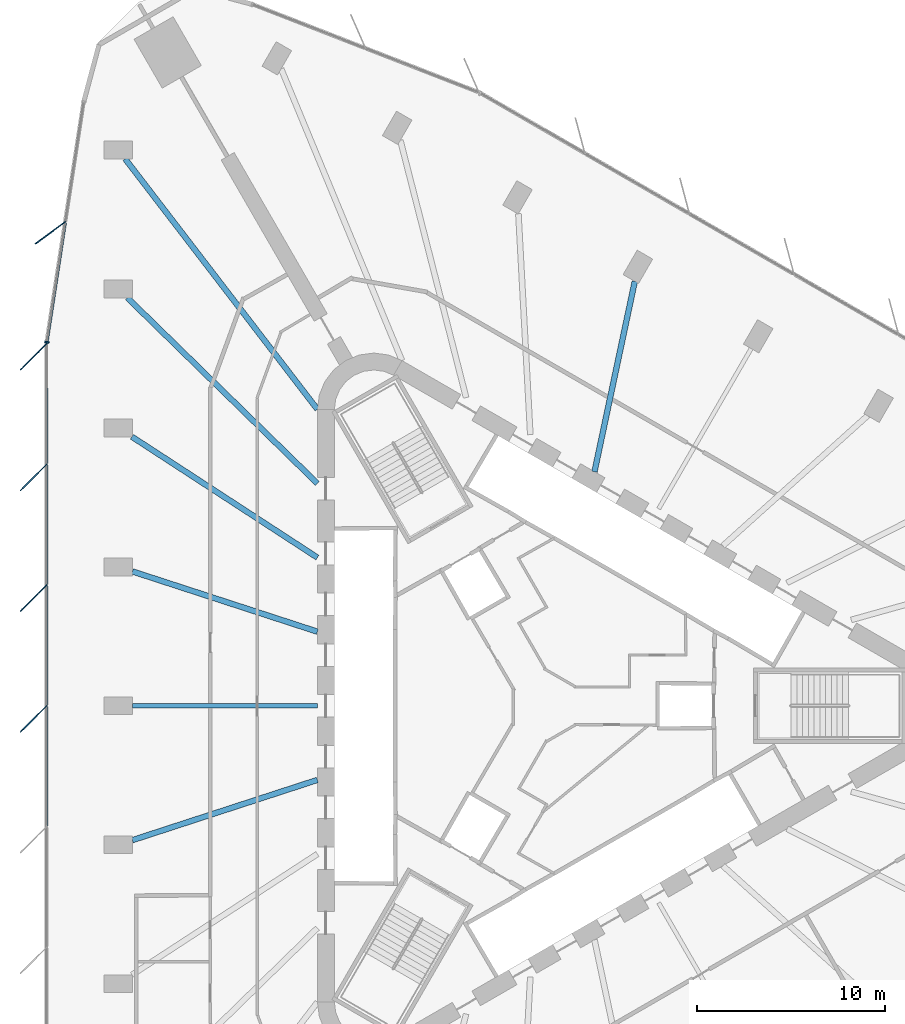
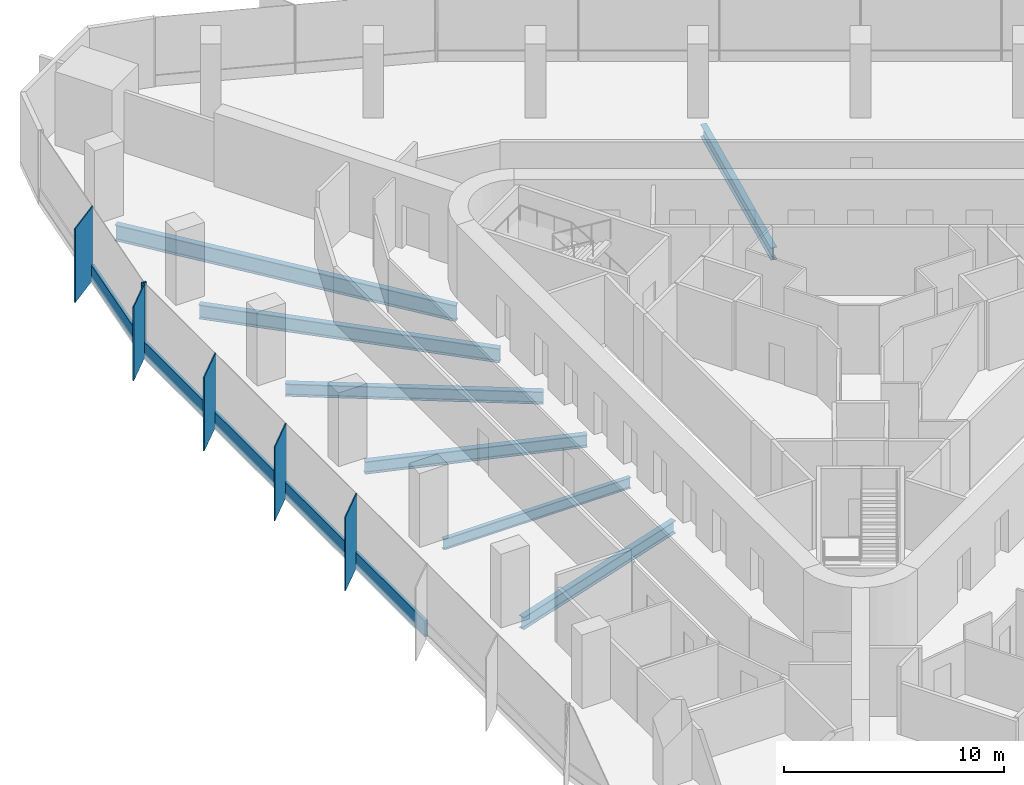
# One storey, part 4 of 15: 11 members, 7 beams, 2 elements without a shape of their own.
"""IFC4 building model written with IfcOpenShell, lengths in metres."""

from ifc_helpers import new_model, si_unit, direction, frame, origin, origin_2d, place, context, subcontext, project, spatial, rectangle, i_section, extrude, material, material_profile, profile_set, type_object, element, aggregate, save


model = new_model("IFC4")

# Units and contexts
model_context = context("Model", 3, precision=1e-05, world=origin(), true_north=direction((0.0, 1.0)))
body_context = subcontext(model_context, "Body", "Model", "MODEL_VIEW")
ifc_project = project(units=[si_unit("LENGTHUNIT", "METRE"), si_unit("AREAUNIT", "SQUARE_METRE"), si_unit("VOLUMEUNIT", "CUBIC_METRE"), si_unit("PLANEANGLEUNIT", "RADIAN"), si_unit("MASSUNIT", "GRAM", prefix="KILO")], contexts=[model_context])

# Site, building, storey
site_placement = place(None, origin())
site = spatial("IfcSite", under=ifc_project, at=site_placement, CompositionType="ELEMENT")
building_placement = place(site_placement, origin())
building = spatial("IfcBuilding", under=site, at=building_placement, Name="Tanit Gate Tower", CompositionType="ELEMENT")
storey_placement = place(building_placement, frame((0.0, 0.0, 135.699951171875)))
storey = spatial("IfcBuildingStorey", under=building, at=storey_placement, Name="L29", CompositionType="ELEMENT", Elevation=135.699951171875)

# Curtain wall, member
ifc_material_1 = material(Name="Aluminium bronze anodised and glass", Category="aluminium")
curtain_wall_type = type_object("IfcCurtainWallType", Name="Curtain wall typical low", PredefinedType="NOTDEFINED", material=ifc_material_1)
curtain_wall_1_placement = place(storey_placement, origin())
curtain_wall_1 = element("IfcCurtainWall", 1, at=curtain_wall_1_placement, inside=storey, type_object=curtain_wall_type, Name="Curtain wall L29 W1", PredefinedType="NOTDEFINED")
ifc_material_2 = material(Name="Aluminium bronze anodised", Category="aluminium")
ifc_material_profile_1 = material_profile(ifc_material_2, rectangle(XDim=2.0, YDim=0.055908203125, at=origin_2d()), Name="56x2000 bronze fin mullion")
ifc_profile_set_1 = profile_set([ifc_material_profile_1], Name="Aluminium bronze anodised")
member_type_1 = type_object("IfcMemberType", Name="FIN MULLION 56x2000 bronze", PredefinedType="MULLION", material=ifc_profile_set_1)
member_1_placement = place(storey_placement, frame((-26.29931640625, 25.1591796875, -0.300048828125), z_axis=(0.0, 0.0, 1.0), x_axis=(0.806255156627, 0.591567935586, 0.0)))
member_1 = element("IfcMember", 2, at=member_1_placement, type_object=member_type_1, Name="Fin mullion L29 W1.2", PredefinedType="MULLION", context=body_context, shape_type="SweptSolid", body=[
    extrude(rectangle(XDim=2.0, YDim=0.055908203125, at=origin_2d()), origin(), (0.0, 0.0, 1.0), 4.10009765625),
])

# Curtain wall, members
curtain_wall_2_placement = place(storey_placement, origin())
curtain_wall_2 = element("IfcCurtainWall", 3, at=curtain_wall_2_placement, inside=storey, type_object=curtain_wall_type, Name="Curtain wall L29 W2", PredefinedType="NOTDEFINED")
member_2_placement = place(storey_placement, frame((-27.190185546875, 18.575439453125, -0.300048828125), z_axis=(0.0, 0.0, 1.0), x_axis=(0.707155809403, 0.707057749571, 0.0)))
member_2 = element("IfcMember", 4, at=member_2_placement, type_object=member_type_1, Name="Fin mullion L29 W2.1", PredefinedType="MULLION", context=body_context, shape_type="SweptSolid", body=[
    extrude(rectangle(XDim=2.0, YDim=0.055908203125, at=origin_2d()), origin(), (0.0, 0.0, 1.0), 4.10009765625),
])
member_3_placement = place(storey_placement, frame((-27.190673828125, 12.1533203125, -0.300048828125), z_axis=(0.0, 0.0, 1.0), x_axis=(0.707155809403, 0.707057749571, 0.0)))
member_3 = element("IfcMember", 5, at=member_3_placement, type_object=member_type_1, Name="Fin mullion L29 W2.2", PredefinedType="MULLION", context=body_context, shape_type="SweptSolid", body=[
    extrude(rectangle(XDim=2.0, YDim=0.055908203125, at=origin_2d()), origin(), (0.0, 0.0, 1.0), 4.10009765625),
])
member_4_placement = place(storey_placement, frame((-27.191162109375, 5.731201171875, -0.300048828125), z_axis=(0.0, 0.0, 1.0), x_axis=(0.707155809403, 0.707057749571, 0.0)))
member_4 = element("IfcMember", 6, at=member_4_placement, type_object=member_type_1, Name="Fin mullion L29 W2.3", PredefinedType="MULLION", context=body_context, shape_type="SweptSolid", body=[
    extrude(rectangle(XDim=2.0, YDim=0.055908203125, at=origin_2d()), origin(), (0.0, 0.0, 1.0), 4.10009765625),
])
member_5_placement = place(storey_placement, frame((-27.191650390625, -0.691162109375, -0.300048828125), z_axis=(0.0, 0.0, 1.0), x_axis=(0.707155809403, 0.707057749571, 0.0)))
member_5 = element("IfcMember", 7, at=member_5_placement, type_object=member_type_1, Name="Fin mullion L29 W2.4", PredefinedType="MULLION", context=body_context, shape_type="SweptSolid", body=[
    extrude(rectangle(XDim=2.0, YDim=0.055908203125, at=origin_2d()), origin(), (0.0, 0.0, 1.0), 4.10009765625),
])

# Member
ifc_material_3 = material(Name="Aluminium bronze anodised", Category="aluminium")
ifc_material_profile_2 = material_profile(ifc_material_3, rectangle(XDim=0.239990234375, YDim=0.080078125, at=origin_2d()), Name="80x240 bronze mullion")
ifc_profile_set_2 = profile_set([ifc_material_profile_2], Name="Aluminium bronze anodised")
member_type_2 = type_object("IfcMemberType", Name="Mullion 80x240 typical low", PredefinedType="MULLION", material=ifc_profile_set_2)
member_6_placement = place(storey_placement, frame((-26.492919921875, 19.345947265625, -0.300048828125), z_axis=(0.0, 0.0, 1.0), x_axis=(0.988410187402, -0.151806789832, 0.0)))
member_6 = element("IfcMember", 8, at=member_6_placement, type_object=member_type_2, Name="Mullion L29 W1.3", PredefinedType="MULLION", context=body_context, shape_type="SweptSolid", body=[
    extrude(rectangle(XDim=0.239990234375, YDim=0.080078125, at=origin_2d()), origin(), (0.0, 0.0, 1.0), 4.10009765625),
])

# Beams
ifc_material_4 = material(Name="Steel S355", Category="steel")
ifc_material_profile_3 = material_profile(ifc_material_4, i_section(OverallWidth=0.300048828125, OverallDepth=0.68994140625, WebThickness=0.014404296875, FlangeThickness=0.027099609375, FilletRadius=0.027099609375, at=origin_2d()), Name="HEA 700")
ifc_profile_set_3 = profile_set([ifc_material_profile_3], Name="Steel S355")
beam_type_1 = type_object("IfcBeamType", Name="RADIAL GIRDER HEA 700 S355", PredefinedType="BEAM", material=ifc_profile_set_3)
for number, where, z_axis, x_axis, name in (
    (9, (-21.94140625, -7.147216796875, -0.64501953125), (0.950826843828, 0.309722961783, 0.0), (-0.309722961783, 0.950826843828, 0.0), "RADIAL GIRDER"),
    (10, (4.781005859375, 22.5751953125, -0.64501953125), (-0.207169644951, -0.978305033316, 0.0), (0.978305033316, -0.207169644951, 0.0), "RADIAL GIRDER"),
):
    element("IfcBeam", number, at=place(storey_placement, frame(where, z_axis=z_axis, x_axis=x_axis)), inside=storey, type_object=beam_type_1, Name=name, PredefinedType="BEAM", context=body_context, shape_type="SweptSolid", body=[
        extrude(i_section(OverallWidth=0.300048828125, OverallDepth=0.68994140625, WebThickness=0.014404296875, FlangeThickness=0.027099609375, FilletRadius=0.027099609375, at=origin_2d()), origin(), (0.0, 0.0, 1.0), 10.34814453125),
    ])
beam_1_placement = place(storey_placement, frame((-21.962158203125, 14.307861328125, -0.64501953125), z_axis=(0.837879591386, -0.54585510013, 0.0), x_axis=(0.54585510013, 0.837879591386, 0.0)))
element("IfcBeam", 11, at=beam_1_placement, inside=storey, type_object=beam_type_1, Name="RADIAL GIRDER", PredefinedType="BEAM", context=body_context, shape_type="SweptSolid", body=[
    extrude(i_section(OverallWidth=0.300048828125, OverallDepth=0.68994140625, WebThickness=0.014404296875, FlangeThickness=0.027099609375, FilletRadius=0.027099609375, at=origin_2d()), origin(), (0.0, 0.0, 1.0), 11.767822265625),
])
beam_2_placement = place(storey_placement, frame((-21.94140625, 7.147216796875, -0.64501953125), z_axis=(0.950826843828, -0.309722961783, 0.0), x_axis=(0.309722961783, 0.950826843828, 0.0)))
element("IfcBeam", 12, at=beam_2_placement, inside=storey, type_object=beam_type_1, Name="RADIAL GIRDER", PredefinedType="BEAM", context=body_context, shape_type="SweptSolid", body=[
    extrude(i_section(OverallWidth=0.300048828125, OverallDepth=0.68994140625, WebThickness=0.014404296875, FlangeThickness=0.027099609375, FilletRadius=0.027099609375, at=origin_2d()), origin(), (0.0, 0.0, 1.0), 10.34814453125),
])
ifc_material_5 = material(Name="Steel S355", Category="steel")
ifc_material_profile_4 = material_profile(ifc_material_5, i_section(OverallWidth=0.300048828125, OverallDepth=0.7900390625, WebThickness=0.014892578125, FlangeThickness=0.028076171875, FilletRadius=0.030029296875, at=origin_2d()), Name="HEA 800")
ifc_profile_set_4 = profile_set([ifc_material_profile_4], Name="Steel S355")
beam_type_2 = type_object("IfcBeamType", Name="RADIAL GIRDER HEA 800 S355", PredefinedType="BEAM", material=ifc_profile_set_4)
beam_3_placement = place(storey_placement, frame((-22.205078125, 21.69921875, -0.695068359375), z_axis=(0.715208800213, -0.698910847031, 0.0), x_axis=(0.698910847031, 0.715208800213, 0.0)))
element("IfcBeam", 13, at=beam_3_placement, inside=storey, type_object=beam_type_2, Name="RADIAL GIRDER", PredefinedType="BEAM", context=body_context, shape_type="SweptSolid", body=[
    extrude(i_section(OverallWidth=0.300048828125, OverallDepth=0.7900390625, WebThickness=0.014892578125, FlangeThickness=0.028076171875, FilletRadius=0.030029296875, at=origin_2d()), origin(), (0.0, 0.0, 1.0), 14.1259765625),
])
ifc_material_6 = material(Name="Steel S355", Category="steel")
ifc_material_profile_5 = material_profile(ifc_material_6, i_section(OverallWidth=0.300048828125, OverallDepth=0.889892578125, WebThickness=0.01611328125, FlangeThickness=0.030029296875, FilletRadius=0.030029296875, at=origin_2d()), Name="HEA 900")
ifc_profile_set_5 = profile_set([ifc_material_profile_5], Name="Steel S355")
beam_type_3 = type_object("IfcBeamType", Name="RADIAL GIRDER HEA 900 S355", PredefinedType="BEAM", material=ifc_profile_set_5)
beam_4_placement = place(storey_placement, frame((-22.32666015625, 29.0908203125, -0.744873046875), z_axis=(0.60883155025, -0.793299529446, 0.0), x_axis=(0.793299529446, 0.60883155025, 0.0)))
element("IfcBeam", 14, at=beam_4_placement, inside=storey, type_object=beam_type_3, Name="RADIAL GIRDER", PredefinedType="BEAM", context=body_context, shape_type="SweptSolid", body=[
    extrude(i_section(OverallWidth=0.300048828125, OverallDepth=0.889892578125, WebThickness=0.01611328125, FlangeThickness=0.030029296875, FilletRadius=0.030029296875, at=origin_2d()), origin(), (0.0, 0.0, 1.0), 16.794921875),
])
ifc_material_7 = material(Name="Steel S355", Category="steel")
ifc_material_profile_6 = material_profile(ifc_material_7, i_section(OverallWidth=0.219970703125, OverallDepth=0.60009765625, WebThickness=0.011962890625, FlangeThickness=0.01904296875, FilletRadius=0.02392578125, at=origin_2d()), Name="IPE 600")
ifc_profile_set_6 = profile_set([ifc_material_profile_6], Name="Steel S355")
beam_type_4 = type_object("IfcBeamType", Name="RADIAL GIRDER IPE 600 S355", PredefinedType="BEAM", material=ifc_profile_set_6)
beam_5_placement = place(storey_placement, frame((-21.94140625, 0.0, -0.599853515625), z_axis=(1.0, 0.0, 0.0), x_axis=(0.0, 1.0, 0.0)))
element("IfcBeam", 15, at=beam_5_placement, inside=storey, type_object=beam_type_4, Name="RADIAL GIRDER", PredefinedType="BEAM", context=body_context, shape_type="SweptSolid", body=[
    extrude(i_section(OverallWidth=0.219970703125, OverallDepth=0.60009765625, WebThickness=0.011962890625, FlangeThickness=0.01904296875, FilletRadius=0.02392578125, at=origin_2d()), origin(), (0.0, 0.0, 1.0), 9.83935546875),
])

# Member
ifc_material_8 = material(Name="Aluminium bronze anodised", Category="aluminium")
ifc_material_profile_7 = material_profile(ifc_material_8, rectangle(XDim=0.159912109375, YDim=0.89990234375, at=origin_2d()), Name="160x900 bronze transom")
ifc_profile_set_7 = profile_set([ifc_material_profile_7], Name="Aluminium bronze anodised")
member_type_3 = type_object("IfcMemberType", Name="Transom 160x900 typical low", PredefinedType="USERDEFINED", material=ifc_profile_set_7)
member_7_placement = place(storey_placement, frame((-25.517333984375, 25.69775390625, 0.150146484375), z_axis=(-0.151807254715, -0.988410116002, 0.0), x_axis=(0.988410116002, -0.151807254715, 0.0)))
member_7 = element("IfcMember", 16, at=member_7_placement, type_object=member_type_3, Name="Transom L29 W1.2", ObjectType="TRANSOM", PredefinedType="USERDEFINED", context=body_context, shape_type="SweptSolid", body=[
    extrude(rectangle(XDim=0.159912109375, YDim=0.89990234375, at=origin_2d()), origin(), (0.0, 0.0, 1.0), 6.38623046875),
])

aggregate(curtain_wall_1, [member_1, member_6, member_7])

member_8_placement = place(storey_placement, frame((-26.4990234375, 19.2265625, 0.150146484375), z_axis=(-7.6988221e-05, -0.999999997036, 0.0), x_axis=(0.999999997036, -7.6988221e-05, 0.0)))
member_8 = element("IfcMember", 17, at=member_8_placement, type_object=member_type_3, Name="Transom L29 W2.1", ObjectType="TRANSOM", PredefinedType="USERDEFINED", context=body_context, shape_type="SweptSolid", body=[
    extrude(rectangle(XDim=0.159912109375, YDim=0.89990234375, at=origin_2d()), origin(), (0.0, 0.0, 1.0), 6.34228515625),
])

member_9_placement = place(storey_placement, frame((-26.49951171875, 12.80419921875, 0.150146484375), z_axis=(-7.6991184e-05, -0.999999997036, 0.0), x_axis=(0.999999997036, -7.6991184e-05, 0.0)))
member_9 = element("IfcMember", 18, at=member_9_placement, type_object=member_type_3, Name="Transom L29 W2.2", ObjectType="TRANSOM", PredefinedType="USERDEFINED", context=body_context, shape_type="SweptSolid", body=[
    extrude(rectangle(XDim=0.159912109375, YDim=0.89990234375, at=origin_2d()), origin(), (0.0, 0.0, 1.0), 6.342041015625),
])

member_10_placement = place(storey_placement, frame((-26.5, 6.382080078125, 0.150146484375), z_axis=(-7.6991184e-05, -0.999999997036, 0.0), x_axis=(0.999999997036, -7.6991184e-05, 0.0)))
member_10 = element("IfcMember", 19, at=member_10_placement, type_object=member_type_3, Name="Transom L29 W2.3", ObjectType="TRANSOM", PredefinedType="USERDEFINED", context=body_context, shape_type="SweptSolid", body=[
    extrude(rectangle(XDim=0.159912109375, YDim=0.89990234375, at=origin_2d()), origin(), (0.0, 0.0, 1.0), 6.342041015625),
])

member_11_placement = place(storey_placement, frame((-26.50048828125, -0.0400390625, 0.150146484375), z_axis=(-3.8495592e-05, -0.999999999259, 0.0), x_axis=(0.999999999259, -3.8495592e-05, 0.0)))
member_11 = element("IfcMember", 20, at=member_11_placement, type_object=member_type_3, Name="Transom L29 W2.4", ObjectType="TRANSOM", PredefinedType="USERDEFINED", context=body_context, shape_type="SweptSolid", body=[
    extrude(rectangle(XDim=0.159912109375, YDim=0.89990234375, at=origin_2d()), origin(), (0.0, 0.0, 1.0), 6.342041015625),
])

aggregate(curtain_wall_2, [member_2, member_3, member_4, member_5, member_8, member_9, member_10, member_11])

save(model, "model.ifc")
